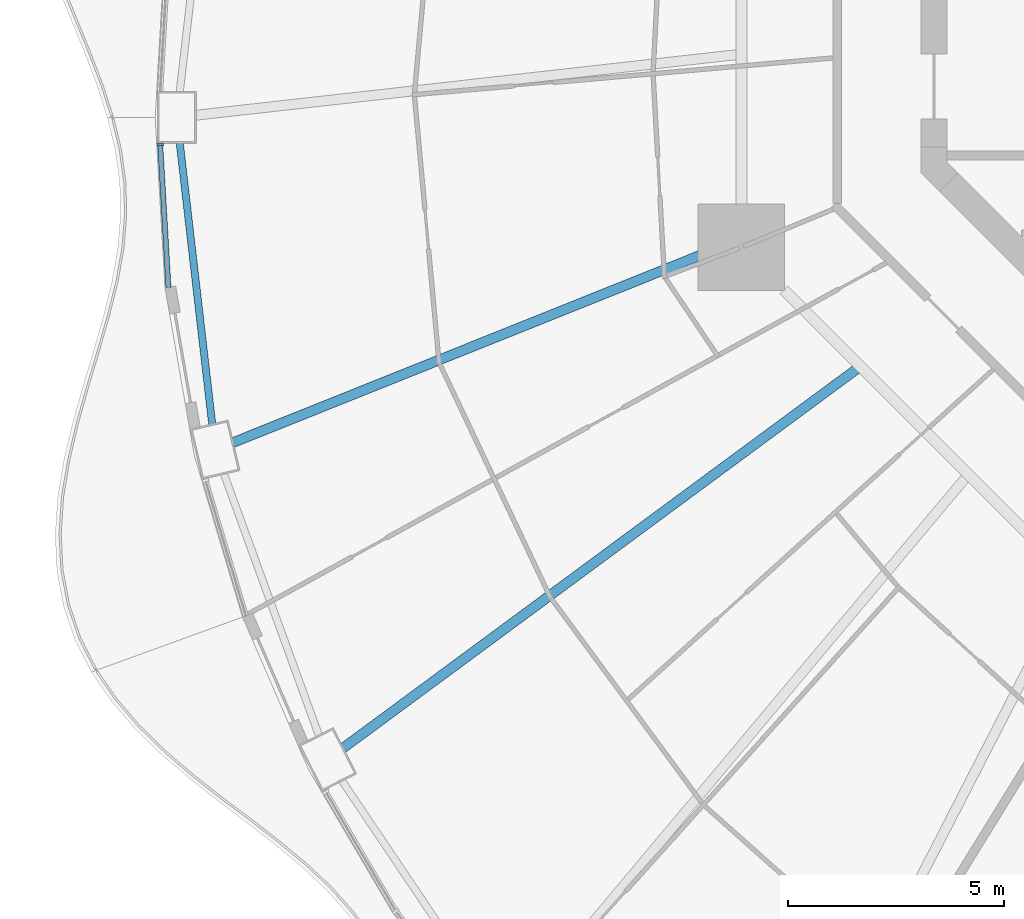
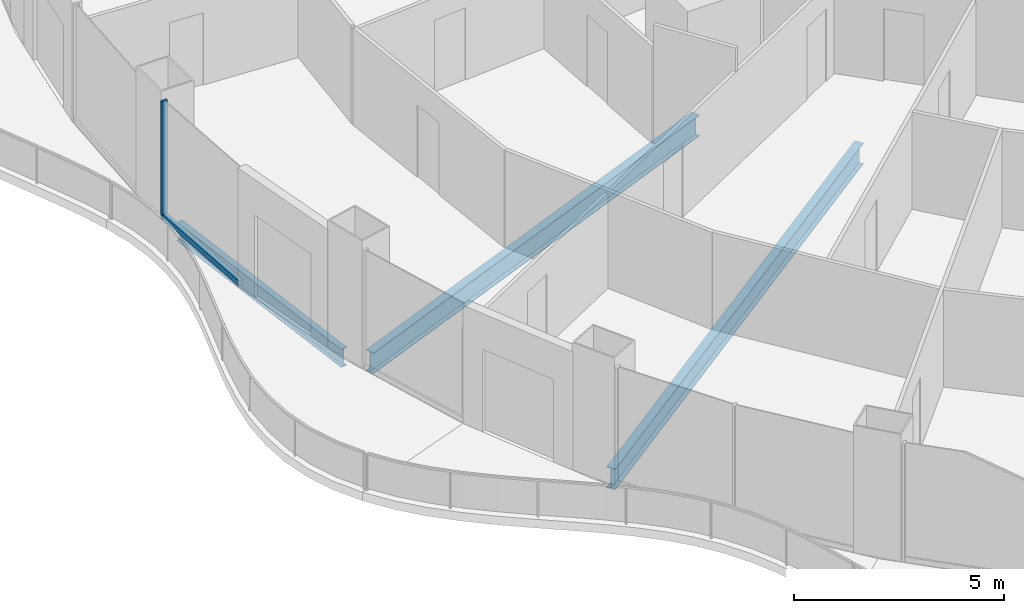
# One storey, part 4 of 21: 3 beams, 2 members, 1 element without a shape of its own.
"""IFC4 building model written with IfcOpenShell, lengths in metres."""

from ifc_helpers import new_model, si_unit, direction, frame, origin, origin_2d, place, context, subcontext, project, spatial, rectangle, i_section, extrude, material, layer, layer_set, material_profile, profile_set, type_object, element, aggregate, save


model = new_model("IFC4")

# Units and contexts
model_context = context("Model", 3, precision=1e-05, world=origin(), true_north=direction((0.0, 1.0)))
body_context = subcontext(model_context, "Body", "Model", "MODEL_VIEW")
ifc_project = project(units=[si_unit("LENGTHUNIT", "METRE"), si_unit("AREAUNIT", "SQUARE_METRE"), si_unit("VOLUMEUNIT", "CUBIC_METRE"), si_unit("PLANEANGLEUNIT", "RADIAN"), si_unit("MASSUNIT", "GRAM", prefix="KILO")], contexts=[model_context])

# Site, building, storey
site_placement = place(None, origin())
site = spatial("IfcSite", under=ifc_project, at=site_placement, CompositionType="ELEMENT")
building_placement = place(site_placement, origin())
building = spatial("IfcBuilding", under=site, at=building_placement, Name="Nagisa Residences", CompositionType="ELEMENT")
storey_placement = place(building_placement, frame((0.0, 0.0, 134.39990234375)))
storey = spatial("IfcBuildingStorey", under=building, at=storey_placement, Name="L33", CompositionType="ELEMENT", Elevation=134.39990234375)

# Curtain wall, members
ifc_material_1 = material(Name="Concrete-coloured aluminium curtain wall system", Category="concrete")
ifc_layer = layer(ifc_material_1, 0.159912109375)
ifc_layer_set = layer_set([ifc_layer], Name="CW1 CURTAIN WALL")
curtain_wall_type = type_object("IfcCurtainWallType", Name="CW1 CURTAIN WALL", PredefinedType="NOTDEFINED", material=ifc_layer_set)
curtain_wall_placement = place(storey_placement, origin())
curtain_wall = element("IfcCurtainWall", 1, at=curtain_wall_placement, inside=storey, type_object=curtain_wall_type, Name="cw:CW1:L33:24", PredefinedType="NOTDEFINED")
ifc_material_2 = material(Name="Concrete-coloured aluminium", Category="concrete")
ifc_material_profile_1 = material_profile(ifc_material_2, rectangle(XDim=0.159912109375, YDim=0.06005859375, at=origin_2d()), Name="CW1 MULLION 160x60")
ifc_profile_set_1 = profile_set([ifc_material_profile_1], Name="Concrete-coloured aluminium")
member_type_1 = type_object("IfcMemberType", Name="CW1 MULLION 160x60", PredefinedType="MULLION", material=ifc_profile_set_1)
member_1_placement = place(storey_placement, frame((-28.218994140625, -3.741943359375, 0.0), z_axis=(0.0, 0.0, 1.0), x_axis=(0.998345305184, 0.057503492216, 0.0)))
member_1 = element("IfcMember", 2, at=member_1_placement, type_object=member_type_1, Name="CW1 mullion", PredefinedType="MULLION", context=body_context, shape_type="SweptSolid", body=[
    extrude(rectangle(XDim=0.159912109375, YDim=0.06005859375, at=origin_2d()), origin(), (0.0, 0.0, 1.0), 3.440185546875),
])
ifc_material_3 = material(Name="Concrete-coloured aluminium", Category="concrete")
ifc_material_profile_2 = material_profile(ifc_material_3, rectangle(XDim=0.1201171875, YDim=0.14990234375, at=origin_2d()), Name="CW1 TRANSOM 120x150")
ifc_profile_set_2 = profile_set([ifc_material_profile_2], Name="Concrete-coloured aluminium")
member_type_2 = type_object("IfcMemberType", Name="CW1 TRANSOM 120x150", PredefinedType="USERDEFINED", material=ifc_profile_set_2)
member_2_placement = place(storey_placement, frame((-28.220703125, -3.712158203125, 0.0751953125), z_axis=(0.057537829427, -0.998343326809, 0.0), x_axis=(0.998343326809, 0.057537829427, 0.0)))
member_2 = element("IfcMember", 3, at=member_2_placement, type_object=member_type_2, Name="CW1 transom", ObjectType="TRANSOM", PredefinedType="USERDEFINED", context=body_context, shape_type="SweptSolid", body=[
    extrude(rectangle(XDim=0.1201171875, YDim=0.14990234375, at=origin_2d()), origin(), (0.0, 0.0, 1.0), 3.347900390625),
])
aggregate(curtain_wall, [member_1, member_2])

# Beams
ifc_material_4 = material(Name="Steel ASTM A572 Gr 50", Category="steel")
ifc_material_profile_3 = material_profile(ifc_material_4, i_section(OverallWidth=0.166015625, OverallDepth=0.534912109375, WebThickness=0.01025390625, FlangeThickness=0.0166015625, at=origin_2d()), Name="W530x85")
ifc_profile_set_3 = profile_set([ifc_material_profile_3], Name="Steel ASTM A572 Gr 50")
beam_type_1 = type_object("IfcBeamType", Name="Perimeter ring beam W530x85", PredefinedType="BEAM", material=ifc_profile_set_3)
beam_1_placement = place(storey_placement, frame((-27.76806640625, -3.69775390625, -0.52734375), z_axis=(0.114660786771, -0.993404703017, 0.0), x_axis=(0.993404703017, 0.114660786771, 0.0)))
element("IfcBeam", 4, at=beam_1_placement, inside=storey, type_object=beam_type_1, Name="beam:L33:pb13", PredefinedType="BEAM", context=body_context, shape_type="SweptSolid", body=[
    extrude(i_section(OverallWidth=0.166015625, OverallDepth=0.534912109375, WebThickness=0.01025390625, FlangeThickness=0.0166015625, at=origin_2d()), origin(), (0.0, 0.0, 1.0), 6.568603515625),
])
ifc_material_5 = material(Name="Steel ASTM A572 Gr 50", Category="steel")
ifc_material_profile_4 = material_profile(ifc_material_5, i_section(OverallWidth=0.22900390625, OverallDepth=0.612060546875, WebThickness=0.011962890625, FlangeThickness=0.01953125, at=origin_2d()), Name="W610x125")
ifc_profile_set_4 = profile_set([ifc_material_profile_4], Name="Steel ASTM A572 Gr 50")
beam_type_2 = type_object("IfcBeamType", Name="Radial beam W610x125", PredefinedType="BEAM", material=ifc_profile_set_4)
beam_2_placement = place(storey_placement, frame((-26.5439453125, -10.641357421875, -0.56591796875), z_axis=(0.928186733156, 0.372114751648, 0.0), x_axis=(-0.372114751648, 0.928186733156, 0.0)))
element("IfcBeam", 5, at=beam_2_placement, inside=storey, type_object=beam_type_2, Name="beam:L33:rb14", PredefinedType="BEAM", context=body_context, shape_type="SweptSolid", body=[
    extrude(i_section(OverallWidth=0.22900390625, OverallDepth=0.612060546875, WebThickness=0.011962890625, FlangeThickness=0.01953125, at=origin_2d()), origin(), (0.0, 0.0, 1.0), 12.554931640625),
])
beam_3_placement = place(storey_placement, frame((-23.995849609375, -17.7060546875, -0.56591796875), z_axis=(0.804660796299, 0.59373479172, 0.0), x_axis=(-0.59373479172, 0.804660796299, 0.0)))
element("IfcBeam", 6, at=beam_3_placement, inside=storey, type_object=beam_type_2, Name="beam:L33:rb15", PredefinedType="BEAM", context=body_context, shape_type="SweptSolid", body=[
    extrude(i_section(OverallWidth=0.22900390625, OverallDepth=0.612060546875, WebThickness=0.011962890625, FlangeThickness=0.01953125, at=origin_2d()), origin(), (0.0, 0.0, 1.0), 14.763427734375),
])

save(model, "model.ifc")
